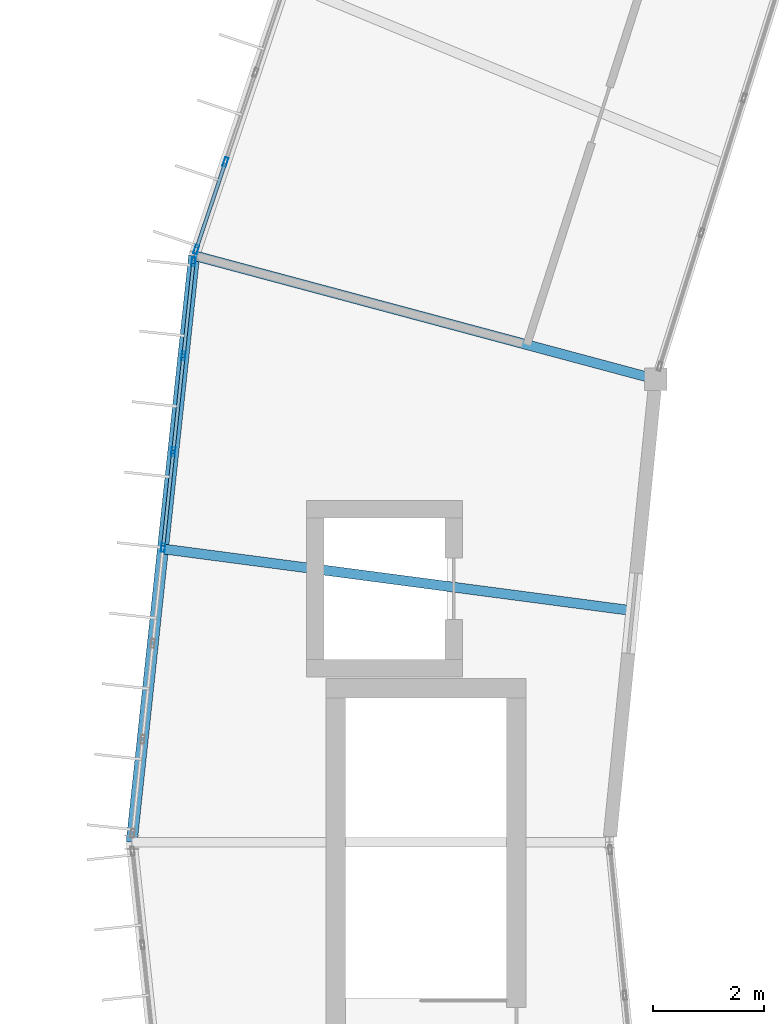
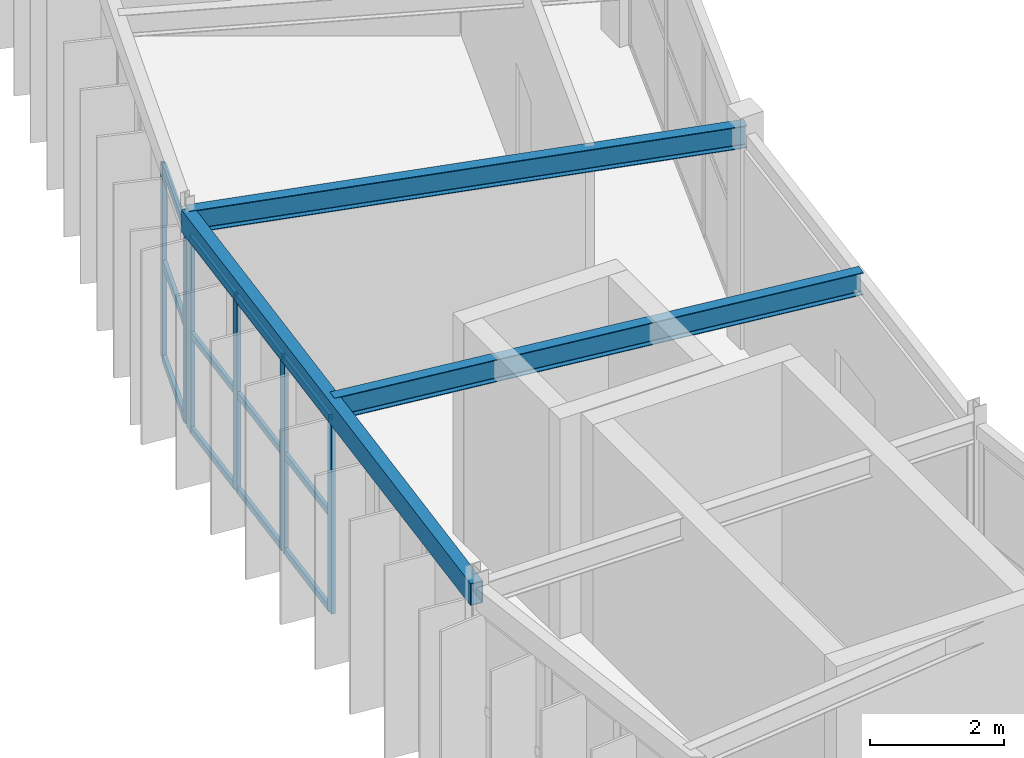
# One storey, part 28 of 106: 18 members, 3 beams, 2 elements without a shape of their own.
"""IFC4 building model written with IfcOpenShell, lengths in metres."""

from ifc_helpers import new_model, si_unit, direction, frame, origin, origin_2d, place, context, subcontext, project, spatial, hollow_rectangle, i_section, extrude, material, material_profile, profile_set, type_object, element, aggregate, save


model = new_model("IFC4")

# Units and contexts
model_context = context("Model", 3, precision=1e-05, world=origin(), true_north=direction((0.0, 1.0)))
body_context = subcontext(model_context, "Body", "Model", "MODEL_VIEW")
ifc_project = project(units=[si_unit("LENGTHUNIT", "METRE"), si_unit("AREAUNIT", "SQUARE_METRE"), si_unit("VOLUMEUNIT", "CUBIC_METRE"), si_unit("PLANEANGLEUNIT", "RADIAN"), si_unit("MASSUNIT", "GRAM", prefix="KILO")], contexts=[model_context])

# Site, building, storey
site_placement = place(None, origin())
site = spatial("IfcSite", under=ifc_project, at=site_placement, CompositionType="ELEMENT")
building_placement = place(site_placement, origin())
building = spatial("IfcBuilding", under=site, at=building_placement, Name="Karori Crest Natural Sciences Institute", CompositionType="ELEMENT")
storey_placement = place(building_placement, frame((0.0, 0.0, 25.89990234375)))
storey = spatial("IfcBuildingStorey", under=building, at=storey_placement, Name="L06", CompositionType="ELEMENT", Elevation=25.89990234375)

# Beams
ifc_material_1 = material(Name="Structural steel AS/NZS 3679.1 Grade 350", Category="steel")
ifc_material_profile_1 = material_profile(ifc_material_1, i_section(OverallWidth=0.177978515625, OverallDepth=0.406005859375, WebThickness=0.0078125, FlangeThickness=0.0126953125, FilletRadius=0.010986328125, at=origin_2d()), Name="410UB59.7")
ifc_profile_set_1 = profile_set([ifc_material_profile_1], Name="Structural steel AS/NZS 3679.1 Grade 350")
beam_type_1 = type_object("IfcBeamType", Name="BT-07", PredefinedType="BEAM", material=ifc_profile_set_1)
beam_1_placement = place(storey_placement, frame((42.831298828125, 58.23388671875, 3.739990234375), z_axis=(-0.965925622404, 0.258819806009, 0.0), x_axis=(-0.258819806009, -0.965925622404, 0.0)))
element("IfcBeam", 1, at=beam_1_placement, inside=storey, type_object=beam_type_1, Name="Beam B-0679", PredefinedType="BEAM", context=body_context, shape_type="SweptSolid", body=[
    extrude(i_section(OverallWidth=0.177978515625, OverallDepth=0.406005859375, WebThickness=0.0078125, FlangeThickness=0.0126953125, FilletRadius=0.010986328125, at=origin_2d()), origin(), (0.0, 0.0, 1.0), 8.599853515625),
])
beam_2_placement = place(storey_placement, frame((42.415771484375, 54.06689453125, 3.739990234375), z_axis=(-0.991443376869, 0.130537467659, 0.0), x_axis=(-0.130537467659, -0.991443376869, 0.0)))
element("IfcBeam", 2, at=beam_2_placement, inside=storey, type_object=beam_type_1, Name="Beam B-2892", PredefinedType="BEAM", context=body_context, shape_type="SweptSolid", body=[
    extrude(i_section(OverallWidth=0.177978515625, OverallDepth=0.406005859375, WebThickness=0.0078125, FlangeThickness=0.0126953125, FilletRadius=0.010986328125, at=origin_2d()), origin(), (0.0, 0.0, 1.0), 8.526611328125),
])
ifc_material_2 = material(Name="Hollow structural steel AS/NZS 1163 Grade C350", Category="steel")
ifc_material_profile_2 = material_profile(ifc_material_2, hollow_rectangle(XDim=0.199951171875, YDim=0.39990234375, WallThickness=0.012451171875, at=origin_2d()), Name="RHS400x200x12.5")
ifc_profile_set_2 = profile_set([ifc_material_profile_2], Name="Hollow structural steel AS/NZS 1163 Grade C350")
beam_type_2 = type_object("IfcBeamType", Name="BT-14", PredefinedType="SPANDREL", material=ifc_profile_set_2)
beam_3_placement = place(storey_placement, frame((34.5244140625, 60.459716796875, 3.739990234375), z_axis=(-0.105891010563, -0.994377742049, 0.0), x_axis=(0.994377742049, -0.105891010563, 0.0)))
element("IfcBeam", 3, at=beam_3_placement, inside=storey, type_object=beam_type_2, Name="Beam B-0677", PredefinedType="SPANDREL", context=body_context, shape_type="SweptSolid", body=[
    extrude(hollow_rectangle(XDim=0.199951171875, YDim=0.39990234375, WallThickness=0.012451171875, at=origin_2d()), origin(), (0.0, 0.0, 1.0), 10.61962890625),
])

# Curtain wall, members
ifc_material_3 = material(Name="Anodised architectural aluminium 6063-T6", Category="aluminium")
curtain_wall_type_1 = type_object("IfcCurtainWallType", Name="CWT-01", PredefinedType="NOTDEFINED", material=ifc_material_3)
curtain_wall_1_placement = place(storey_placement, origin())
curtain_wall_1 = element("IfcCurtainWall", 4, at=curtain_wall_1_placement, inside=storey, type_object=curtain_wall_type_1, Name="Curtain wall CW-0235", PredefinedType="NOTDEFINED")
ifc_material_profile_3 = material_profile(ifc_material_3, hollow_rectangle(XDim=0.06494140625, YDim=0.159912109375, WallThickness=0.00390625, at=origin_2d()), Name="CWM160x65x4")
ifc_profile_set_3 = profile_set([ifc_material_profile_3], Name="Anodised architectural aluminium 6063-T6")
member_type_1 = type_object("IfcMemberType", Name="CWM-01", PredefinedType="MULLION", material=ifc_profile_set_3)
member_1_placement = place(storey_placement, frame((34.561279296875, 60.56982421875, 0.0), z_axis=(0.0, 0.0, 1.0), x_axis=(-0.94819805026, 0.317679803392, 0.0)))
member_1 = element("IfcMember", 5, at=member_1_placement, type_object=member_type_1, Name="CW-0235 mullion 1", PredefinedType="MULLION", context=body_context, shape_type="SweptSolid", body=[
    extrude(hollow_rectangle(XDim=0.06494140625, YDim=0.159912109375, WallThickness=0.00390625, at=origin_2d()), origin(), (0.0, 0.0, 1.0), 3.525146484375),
])
member_2_placement = place(storey_placement, frame((35.0888671875, 62.14501953125, 0.0), z_axis=(0.0, 0.0, 1.0), x_axis=(-0.94819805026, 0.317679803392, 0.0)))
member_2 = element("IfcMember", 6, at=member_2_placement, type_object=member_type_1, Name="CW-0235 mullion 2", PredefinedType="MULLION", context=body_context, shape_type="SweptSolid", body=[
    extrude(hollow_rectangle(XDim=0.06494140625, YDim=0.159912109375, WallThickness=0.00390625, at=origin_2d()), origin(), (0.0, 0.0, 1.0), 3.525146484375),
])

curtain_wall_type_2 = type_object("IfcCurtainWallType", Name="CWT-02", PredefinedType="NOTDEFINED", material=ifc_material_3)
curtain_wall_2_placement = place(storey_placement, origin())
curtain_wall_2 = element("IfcCurtainWall", 7, at=curtain_wall_2_placement, inside=storey, type_object=curtain_wall_type_2, Name="Curtain wall CW-0237", PredefinedType="NOTDEFINED")
member_3_placement = place(storey_placement, frame((33.96484375, 55.204345703125, 0.0), z_axis=(0.0, 0.0, 1.0), x_axis=(-0.994378309998, 0.105885677057, 0.0)))
member_3 = element("IfcMember", 8, at=member_3_placement, type_object=member_type_1, Name="CW-0237 mullion 4", PredefinedType="MULLION", context=body_context, shape_type="SweptSolid", body=[
    extrude(hollow_rectangle(XDim=0.06494140625, YDim=0.159912109375, WallThickness=0.00390625, at=origin_2d()), origin(), (0.0, 0.0, 1.0), 3.525146484375),
])
member_4_placement = place(storey_placement, frame((34.1484375, 56.9296875, 0.0), z_axis=(0.0, 0.0, 1.0), x_axis=(-0.994378309998, 0.105885677057, 0.0)))
member_4 = element("IfcMember", 9, at=member_4_placement, type_object=member_type_1, Name="CW-0237 mullion 5", PredefinedType="MULLION", context=body_context, shape_type="SweptSolid", body=[
    extrude(hollow_rectangle(XDim=0.06494140625, YDim=0.159912109375, WallThickness=0.00390625, at=origin_2d()), origin(), (0.0, 0.0, 1.0), 3.525146484375),
])
member_5_placement = place(storey_placement, frame((34.332275390625, 58.6552734375, 0.0), z_axis=(0.0, 0.0, 1.0), x_axis=(-0.994378309998, 0.105885677057, 0.0)))
member_5 = element("IfcMember", 10, at=member_5_placement, type_object=member_type_1, Name="CW-0237 mullion 6", PredefinedType="MULLION", context=body_context, shape_type="SweptSolid", body=[
    extrude(hollow_rectangle(XDim=0.06494140625, YDim=0.159912109375, WallThickness=0.00390625, at=origin_2d()), origin(), (0.0, 0.0, 1.0), 3.525146484375),
])
member_6_placement = place(storey_placement, frame((34.512451171875, 60.348388671875, 0.0), z_axis=(0.0, 0.0, 1.0), x_axis=(-0.994378309998, 0.105885677057, 0.0)))
member_6 = element("IfcMember", 11, at=member_6_placement, type_object=member_type_1, Name="CW-0237 mullion 7", PredefinedType="MULLION", context=body_context, shape_type="SweptSolid", body=[
    extrude(hollow_rectangle(XDim=0.06494140625, YDim=0.159912109375, WallThickness=0.00390625, at=origin_2d()), origin(), (0.0, 0.0, 1.0), 3.525146484375),
])
ifc_material_profile_4 = material_profile(ifc_material_3, hollow_rectangle(XDim=0.06005859375, YDim=0.1201171875, WallThickness=0.00390625, at=origin_2d()), Name="CWT120x60x4")
ifc_profile_set_4 = profile_set([ifc_material_profile_4], Name="Anodised architectural aluminium 6063-T6")
member_type_2 = type_object("IfcMemberType", Name="CWT-TR1", PredefinedType="USERDEFINED", material=ifc_profile_set_4)
member_7_placement = place(storey_placement, frame((33.96826171875, 55.236572265625, 0.030029296875), z_axis=(0.105826031672, 0.994384659486, 0.0), x_axis=(-0.994384659486, 0.105826031672, 0.0)))
member_7 = element("IfcMember", 12, at=member_7_placement, type_object=member_type_2, Name="CW-0237 transom 4.1", ObjectType="TRANSOM", PredefinedType="USERDEFINED", context=body_context, shape_type="SweptSolid", body=[
    extrude(hollow_rectangle(XDim=0.06005859375, YDim=0.1201171875, WallThickness=0.00390625, at=origin_2d()), origin(), (0.0, 0.0, 1.0), 1.670166015625),
])
member_8_placement = place(storey_placement, frame((33.96826171875, 55.236572265625, 1.7626953125), z_axis=(0.105826031672, 0.994384659486, 0.0), x_axis=(-0.994384659486, 0.105826031672, 0.0)))
member_8 = element("IfcMember", 13, at=member_8_placement, type_object=member_type_2, Name="CW-0237 transom 4.2", ObjectType="TRANSOM", PredefinedType="USERDEFINED", context=body_context, shape_type="SweptSolid", body=[
    extrude(hollow_rectangle(XDim=0.06005859375, YDim=0.1201171875, WallThickness=0.00390625, at=origin_2d()), origin(), (0.0, 0.0, 1.0), 1.670166015625),
])
member_9_placement = place(storey_placement, frame((33.96826171875, 55.236572265625, 3.4951171875), z_axis=(0.105826031672, 0.994384659486, 0.0), x_axis=(-0.994384659486, 0.105826031672, 0.0)))
member_9 = element("IfcMember", 14, at=member_9_placement, type_object=member_type_2, Name="CW-0237 transom 4.3", ObjectType="TRANSOM", PredefinedType="USERDEFINED", context=body_context, shape_type="SweptSolid", body=[
    extrude(hollow_rectangle(XDim=0.06005859375, YDim=0.1201171875, WallThickness=0.00390625, at=origin_2d()), origin(), (0.0, 0.0, 1.0), 1.670166015625),
])
member_10_placement = place(storey_placement, frame((34.15185546875, 56.962158203125, 0.030029296875), z_axis=(0.105970559906, 0.994369267643, 0.0), x_axis=(-0.994369267643, 0.105970559906, 0.0)))
member_10 = element("IfcMember", 15, at=member_10_placement, type_object=member_type_2, Name="CW-0237 transom 5.1", ObjectType="TRANSOM", PredefinedType="USERDEFINED", context=body_context, shape_type="SweptSolid", body=[
    extrude(hollow_rectangle(XDim=0.06005859375, YDim=0.1201171875, WallThickness=0.00390625, at=origin_2d()), origin(), (0.0, 0.0, 1.0), 1.67041015625),
])
member_11_placement = place(storey_placement, frame((34.15185546875, 56.962158203125, 1.7626953125), z_axis=(0.105970559906, 0.994369267643, 0.0), x_axis=(-0.994369267643, 0.105970559906, 0.0)))
member_11 = element("IfcMember", 16, at=member_11_placement, type_object=member_type_2, Name="CW-0237 transom 5.2", ObjectType="TRANSOM", PredefinedType="USERDEFINED", context=body_context, shape_type="SweptSolid", body=[
    extrude(hollow_rectangle(XDim=0.06005859375, YDim=0.1201171875, WallThickness=0.00390625, at=origin_2d()), origin(), (0.0, 0.0, 1.0), 1.67041015625),
])
member_12_placement = place(storey_placement, frame((34.15185546875, 56.962158203125, 3.4951171875), z_axis=(0.105970559906, 0.994369267643, 0.0), x_axis=(-0.994369267643, 0.105970559906, 0.0)))
member_12 = element("IfcMember", 17, at=member_12_placement, type_object=member_type_2, Name="CW-0237 transom 5.3", ObjectType="TRANSOM", PredefinedType="USERDEFINED", context=body_context, shape_type="SweptSolid", body=[
    extrude(hollow_rectangle(XDim=0.06005859375, YDim=0.1201171875, WallThickness=0.00390625, at=origin_2d()), origin(), (0.0, 0.0, 1.0), 1.67041015625),
])
member_13_placement = place(storey_placement, frame((34.335693359375, 58.6875, 0.030029296875), z_axis=(0.105833094668, 0.994383907791, 0.0), x_axis=(-0.994383907791, 0.105833094668, 0.0)))
member_13 = element("IfcMember", 18, at=member_13_placement, type_object=member_type_2, Name="CW-0237 transom 6.1", ObjectType="TRANSOM", PredefinedType="USERDEFINED", context=body_context, shape_type="SweptSolid", body=[
    extrude(hollow_rectangle(XDim=0.06005859375, YDim=0.1201171875, WallThickness=0.00390625, at=origin_2d()), origin(), (0.0, 0.0, 1.0), 1.637939453125),
])
member_14_placement = place(storey_placement, frame((34.335693359375, 58.6875, 1.7626953125), z_axis=(0.105833094668, 0.994383907791, 0.0), x_axis=(-0.994383907791, 0.105833094668, 0.0)))
member_14 = element("IfcMember", 19, at=member_14_placement, type_object=member_type_2, Name="CW-0237 transom 6.2", ObjectType="TRANSOM", PredefinedType="USERDEFINED", context=body_context, shape_type="SweptSolid", body=[
    extrude(hollow_rectangle(XDim=0.06005859375, YDim=0.1201171875, WallThickness=0.00390625, at=origin_2d()), origin(), (0.0, 0.0, 1.0), 1.637939453125),
])
member_15_placement = place(storey_placement, frame((34.335693359375, 58.6875, 3.4951171875), z_axis=(0.105833094668, 0.994383907791, 0.0), x_axis=(-0.994383907791, 0.105833094668, 0.0)))
member_15 = element("IfcMember", 20, at=member_15_placement, type_object=member_type_2, Name="CW-0237 transom 6.3", ObjectType="TRANSOM", PredefinedType="USERDEFINED", context=body_context, shape_type="SweptSolid", body=[
    extrude(hollow_rectangle(XDim=0.06005859375, YDim=0.1201171875, WallThickness=0.00390625, at=origin_2d()), origin(), (0.0, 0.0, 1.0), 1.637939453125),
])
aggregate(curtain_wall_2, [member_3, member_4, member_5, member_6, member_7, member_8, member_9, member_10, member_11, member_12, member_13, member_14, member_15])

# Member
ifc_material_profile_5 = material_profile(ifc_material_3, hollow_rectangle(XDim=0.06494140625, YDim=0.14990234375, WallThickness=0.00390625, at=origin_2d()), Name="CWT150x65x4")
ifc_profile_set_5 = profile_set([ifc_material_profile_5], Name="Anodised architectural aluminium 6063-T6")
member_type_3 = type_object("IfcMemberType", Name="CWT-TR2", PredefinedType="USERDEFINED", material=ifc_profile_set_5)
member_16_placement = place(storey_placement, frame((34.571533203125, 60.6005859375, 0.03271484375), z_axis=(0.317695793379, 0.9481926929, 0.0), x_axis=(-0.9481926929, 0.317695793379, 0.0)))
member_16 = element("IfcMember", 21, at=member_16_placement, type_object=member_type_3, Name="CW-0235 transom 1.1", ObjectType="TRANSOM", PredefinedType="USERDEFINED", context=body_context, shape_type="SweptSolid", body=[
    extrude(hollow_rectangle(XDim=0.06494140625, YDim=0.14990234375, WallThickness=0.00390625, at=origin_2d()), origin(), (0.0, 0.0, 1.0), 1.59619140625),
])

member_17_placement = place(storey_placement, frame((34.571533203125, 60.6005859375, 1.7626953125), z_axis=(0.317695793379, 0.9481926929, 0.0), x_axis=(-0.9481926929, 0.317695793379, 0.0)))
member_17 = element("IfcMember", 22, at=member_17_placement, type_object=member_type_3, Name="CW-0235 transom 1.2", ObjectType="TRANSOM", PredefinedType="USERDEFINED", context=body_context, shape_type="SweptSolid", body=[
    extrude(hollow_rectangle(XDim=0.06494140625, YDim=0.14990234375, WallThickness=0.00390625, at=origin_2d()), origin(), (0.0, 0.0, 1.0), 1.59619140625),
])

member_18_placement = place(storey_placement, frame((34.571533203125, 60.6005859375, 3.49267578125), z_axis=(0.317695793379, 0.9481926929, 0.0), x_axis=(-0.9481926929, 0.317695793379, 0.0)))
member_18 = element("IfcMember", 23, at=member_18_placement, type_object=member_type_3, Name="CW-0235 transom 1.3", ObjectType="TRANSOM", PredefinedType="USERDEFINED", context=body_context, shape_type="SweptSolid", body=[
    extrude(hollow_rectangle(XDim=0.06494140625, YDim=0.14990234375, WallThickness=0.00390625, at=origin_2d()), origin(), (0.0, 0.0, 1.0), 1.59619140625),
])

aggregate(curtain_wall_1, [member_1, member_2, member_16, member_17, member_18])

save(model, "model.ifc")
